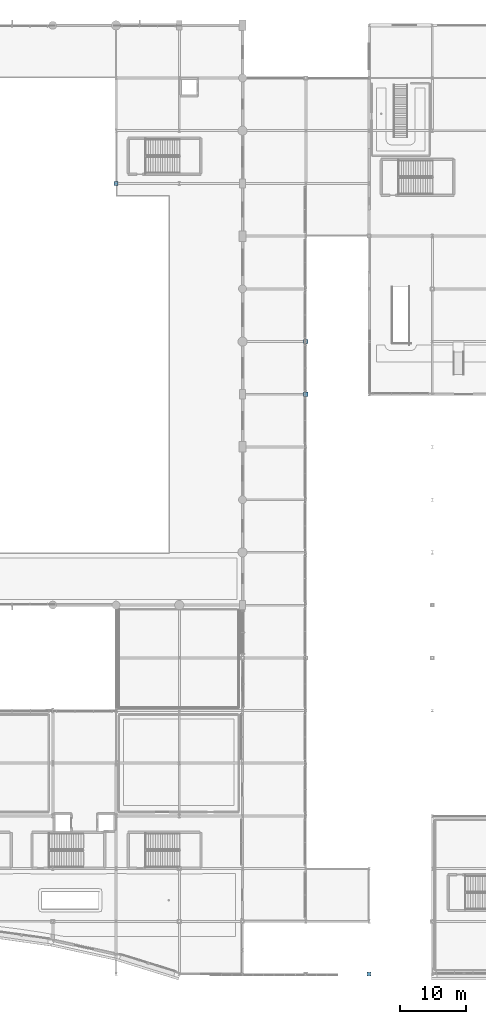
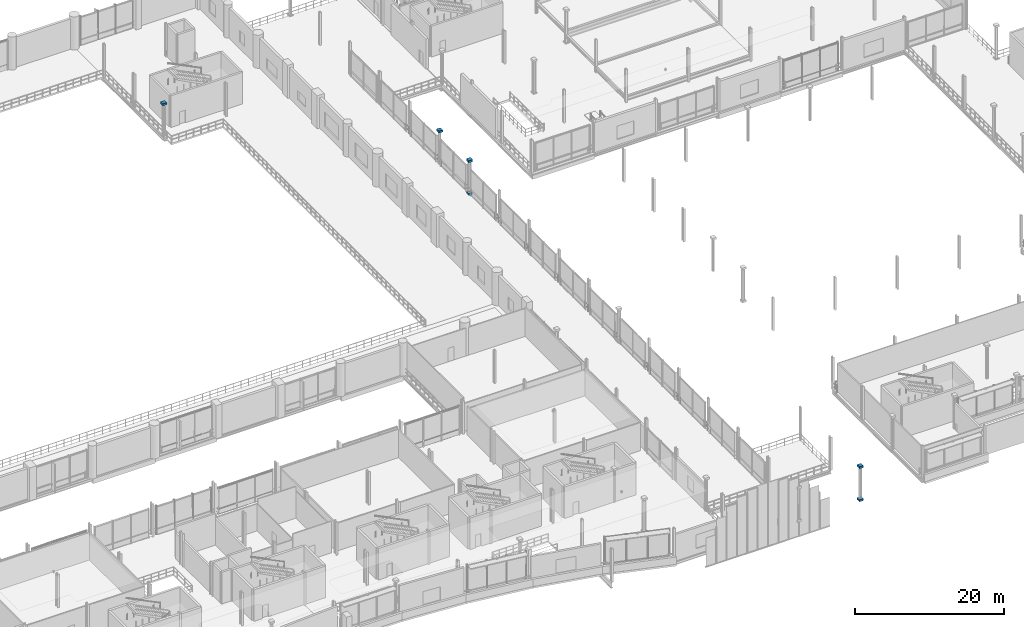
# One storey, part 94 of 129: 6 discrete accessories.
"""IFC4 building model written with IfcOpenShell, lengths in metres."""

from ifc_helpers import new_model, si_unit, direction, frame, origin, origin_2d, place, context, subcontext, project, spatial, rectangle, extrude, material, type_object, element, save


model = new_model("IFC4")

# Units and contexts
model_context = context("Model", 3, precision=1e-05, world=origin(), true_north=direction((0.0, 1.0)))
body_context = subcontext(model_context, "Body", "Model", "MODEL_VIEW")
ifc_project = project(units=[si_unit("LENGTHUNIT", "METRE"), si_unit("AREAUNIT", "SQUARE_METRE"), si_unit("VOLUMEUNIT", "CUBIC_METRE"), si_unit("PLANEANGLEUNIT", "RADIAN"), si_unit("MASSUNIT", "GRAM", prefix="KILO")], contexts=[model_context])

# Site, building, storey
site_placement = place(None, origin())
site = spatial("IfcSite", under=ifc_project, at=site_placement, CompositionType="ELEMENT")
building_placement = place(site_placement, origin())
building = spatial("IfcBuilding", under=site, at=building_placement, Name="Danafjord Basin Convention Centre", CompositionType="ELEMENT")
storey_placement = place(building_placement, frame((0.0, 0.0, 6.0)))
storey = spatial("IfcBuildingStorey", under=building, at=storey_placement, Name="L01", CompositionType="ELEMENT", Elevation=6.0)

# Discrete accessories
ifc_material = material(Name="Steel S355", Category="steel")
discrete_accessory_type = type_object("IfcDiscreteAccessoryType", Name="ACC-SF-HUB", PredefinedType="BRACKET", material=ifc_material)
for number, where, z_axis, x_axis, name in (
    (1, (96.0, 120.0, 5.23974609375), (0.0, 0.0, 1.0), (1.0, 0.0, 0.0), "Tubular steel column top cap plate"),
    (2, (124.800048828125, 88.0, -0.16015625), (0.0, 0.0, 1.0), (1.0, 0.0, 0.0), "Tubular steel column transition collar"),
    (3, (124.800048828125, 88.0, 5.23974609375), (0.0, 0.0, 1.0), (1.0, 0.0, 0.0), "Tubular steel column top cap plate"),
    (4, (124.800048828125, 96.0, 5.23974609375), (0.0, 0.0, 1.0), (1.0, 0.0, 0.0), "Tubular steel column top cap plate"),
    (5, (134.39990234375, 0.0, -0.16015625), (0.0, 0.0, 1.0), (1.0, 0.0, 0.0), "Tubular steel column transition collar"),
    (6, (134.39990234375, 0.0, 5.23974609375), (0.0, 0.0, 1.0), (1.0, 0.0, 0.0), "Tubular steel column top cap plate"),
):
    element("IfcDiscreteAccessory", number, at=place(storey_placement, frame(where, z_axis=z_axis, x_axis=x_axis)), inside=storey, type_object=discrete_accessory_type, Name=name, PredefinedType="BRACKET", context=body_context, shape_type="SweptSolid", body=[
        extrude(rectangle(XDim=0.6201171875, YDim=0.6201171875, at=origin_2d()), origin(), (0.0, 0.0, 1.0), 0.320068359375),
    ])

save(model, "model.ifc")
